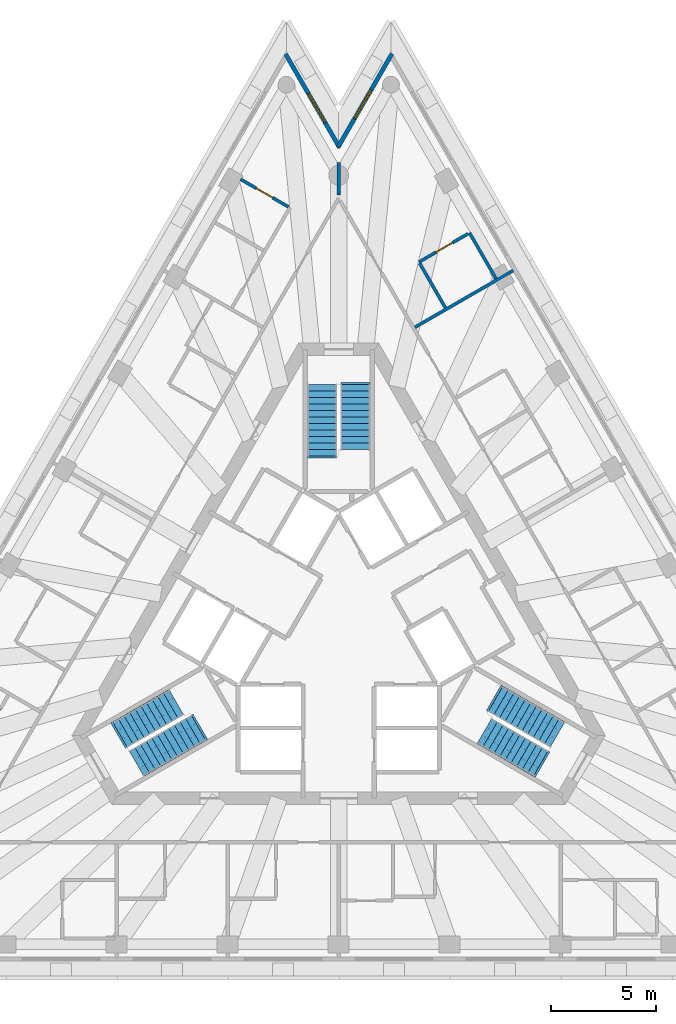
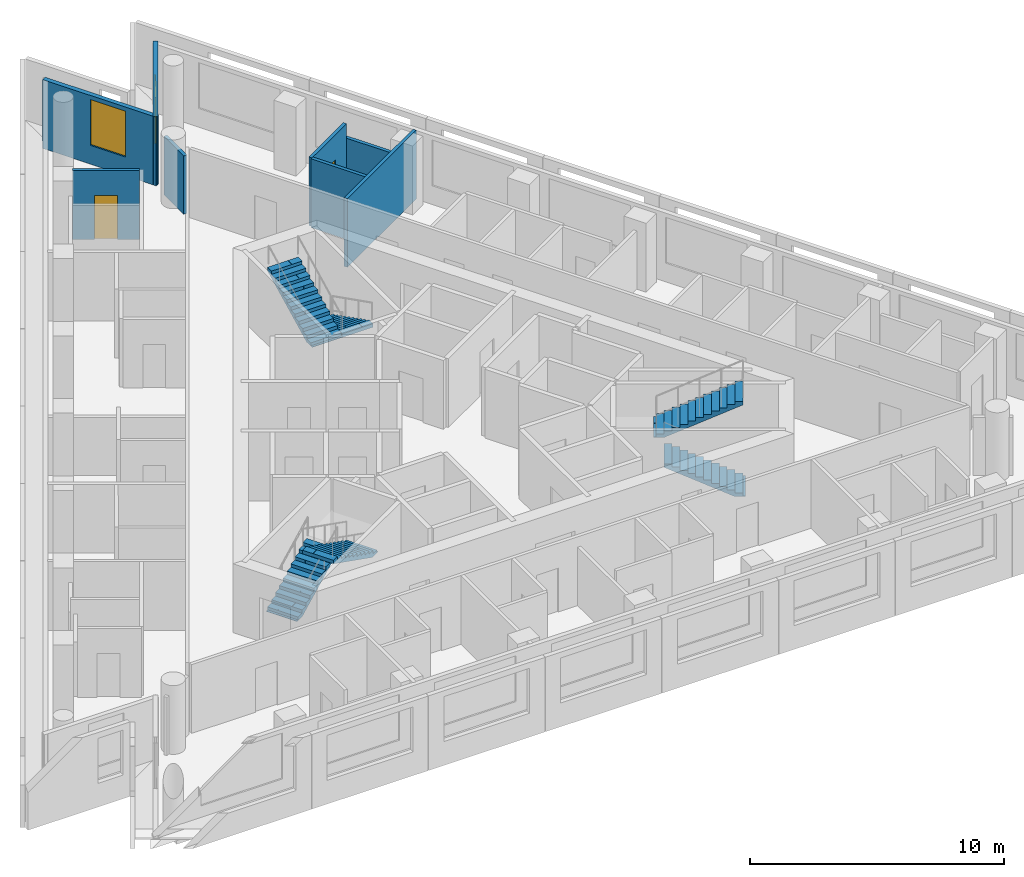
# One storey, part 8 of 11: 8 walls, 6 stair flights, 2 doors, 2 windows, 4 openings, 3 elements without a shape of their own.
"""IFC4 building model written with IfcOpenShell, lengths in metres."""

import ifcopenshell
import ifcopenshell.guid

model = None  # the IFC model being written
_history = None  # IfcOwnerHistory: only IFC2X3 demands one
_inside = {}  # id of a spatial element -> (the spatial element, [elements in it])
_under = {}  # id of a project, library or spatial element -> (it, [spatial elements below it])
_declared = {}  # id of a project -> (the project, [libraries it declares])
_typed = {}  # id of a type object -> (the type object, [elements of that type])
_made_of = {}  # id of a material, layer set ... -> (it, [elements and type objects made of it])


def new_model(schema):
    """Start an empty IFC model of exactly this schema.

    Asked for "IFC4X3", IfcOpenShell would pick the latest addendum, in which some entities
    have other attributes; the version numbers below select the first issue.
    IFC2X3 requires an IfcOwnerHistory on every rooted entity: one is made here for all.
    """
    global model, _history
    if schema == "IFC4X3":
        model = ifcopenshell.file(schema_version=(4, 3, 0, 0))
    else:
        model = ifcopenshell.file(schema=schema)
    _inside.clear()
    _under.clear()
    _declared.clear()
    _typed.clear()
    _made_of.clear()
    _history = None
    if model.schema == "IFC2X3":
        org = make("IfcOrganization", Name="unknown")
        user = make(
            "IfcPersonAndOrganization",
            ThePerson=make("IfcPerson", FamilyName="unknown"),
            TheOrganization=org,
        )
        app = make(
            "IfcApplication",
            ApplicationDeveloper=org,
            Version="unknown",
            ApplicationFullName="unknown",
            ApplicationIdentifier="unknown",
        )
        _history = make(
            "IfcOwnerHistory",
            OwningUser=user,
            OwningApplication=app,
            ChangeAction="ADDED",
            CreationDate=0,
        )
    return model


def make(cls, **values):
    """One entity of the class cls with the attributes given. An attribute that is None is left unset."""
    return model.create_entity(
        cls, **{name: value for name, value in values.items() if value is not None}
    )


def rooted(cls, **values):
    """An entity with a GlobalId (a new one), such as an element, a storey or a relation."""
    return make(cls, GlobalId=ifcopenshell.guid.new(), OwnerHistory=_history, **values)


def si_unit(unit_type, name, prefix=None):
    """IfcSIUnit, for example si_unit("LENGTHUNIT", "METRE", prefix="MILLI")."""
    return make("IfcSIUnit", UnitType=unit_type, Prefix=prefix, Name=name)


def assignment(units):
    """IfcUnitAssignment: the units of a project."""
    return None if units is None else make("IfcUnitAssignment", Units=units)


def point(xyz):
    """IfcCartesianPoint."""
    return None if xyz is None else make("IfcCartesianPoint", Coordinates=xyz)


def direction(xyz):
    """IfcDirection."""
    return None if xyz is None else make("IfcDirection", DirectionRatios=xyz)


def frame(location, z_axis=None, x_axis=None):
    """IfcAxis2Placement3D, a coordinate frame: its origin and axes. An axis left out is left unset."""
    return make(
        "IfcAxis2Placement3D",
        Location=point(location),
        Axis=direction(z_axis),
        RefDirection=direction(x_axis),
    )


def frame_2d(location, x_axis=None):
    """IfcAxis2Placement2D, a coordinate frame in the plane: its origin and x axis."""
    return make(
        "IfcAxis2Placement2D", Location=point(location), RefDirection=direction(x_axis)
    )


def origin():
    """The frame at (0, 0, 0) with its axes left unset."""
    return frame((0.0, 0.0, 0.0))


def place(relative_to, where):
    """IfcLocalPlacement: puts the frame where relative to a parent placement (None: the world)."""
    return make(
        "IfcLocalPlacement", PlacementRelTo=relative_to, RelativePlacement=where
    )


def context(
    kind, dimensions, precision=None, world=None, true_north=None, identifier=None
):
    """IfcGeometricRepresentationContext, for example the 3D "Model" context."""
    return make(
        "IfcGeometricRepresentationContext",
        ContextIdentifier=identifier,
        ContextType=kind,
        CoordinateSpaceDimension=dimensions,
        Precision=precision,
        WorldCoordinateSystem=world,
        TrueNorth=true_north,
    )


def subcontext(parent, identifier, kind, view, scale=None):
    """IfcGeometricRepresentationSubContext, for example "Body" below "Model"."""
    return make(
        "IfcGeometricRepresentationSubContext",
        ContextIdentifier=identifier,
        ContextType=kind,
        ParentContext=parent,
        TargetScale=scale,
        TargetView=view,
    )


def project(units=None, contexts=None):
    """IfcProject with its units and contexts."""
    return rooted(
        "IfcProject",
        Name="project",
        RepresentationContexts=contexts,
        UnitsInContext=assignment(units),
    )


def spatial(cls, under=None, at=None, **own):
    """A site, building, storey or space (cls), placed at a placement, below another one or the project."""
    s = rooted(cls, ObjectPlacement=at, **own)
    if under is not None:
        _under.setdefault(under.id(), (under, []))[1].append(s)
    return s


def polyline(points):
    """IfcPolyline through the points."""
    return make("IfcPolyline", Points=[point(p) for p in points])


def profile(cls, at=None, kind="AREA", **sizes):
    """A parametric profile (cls). Its sizes go by their IFC names, for example OverallWidth=200.0."""
    return make(cls, ProfileType=kind, Position=at, **sizes)


def rectangle(**sizes):
    """IfcRectangleProfileDef."""
    return profile("IfcRectangleProfileDef", **sizes)


def outline(outer, holes=None, kind="AREA"):
    """IfcArbitraryClosedProfileDef: a profile drawn as a closed curve; with holes, ...WithVoids."""
    if holes is None:
        return make("IfcArbitraryClosedProfileDef", ProfileType=kind, OuterCurve=outer)
    return make(
        "IfcArbitraryProfileDefWithVoids",
        ProfileType=kind,
        OuterCurve=outer,
        InnerCurves=holes,
    )


def extrude(swept, where, along, depth):
    """IfcExtrudedAreaSolid: the profile swept, set in the frame where, extruded along a direction by depth."""
    return make(
        "IfcExtrudedAreaSolid",
        SweptArea=swept,
        Position=where,
        ExtrudedDirection=direction(along),
        Depth=depth,
    )


def shape(context_of_items, identifier, shape_type, items):
    """IfcShapeRepresentation: the items that make up one representation, for example the "Body"."""
    return make(
        "IfcShapeRepresentation",
        ContextOfItems=context_of_items,
        RepresentationIdentifier=identifier,
        RepresentationType=shape_type,
        Items=items,
    )


def material(Name=None, Category=None):
    """IfcMaterial."""
    return make("IfcMaterial", Name=Name, Category=Category)


def layer(
    of_material, thickness, ventilated=None, Name=None, Category=None, Priority=None
):
    """IfcMaterialLayer: one layer of a wall or slab, of a material (None: an air gap)."""
    return make(
        "IfcMaterialLayer",
        Material=of_material,
        LayerThickness=thickness,
        IsVentilated=ventilated,
        Name=Name,
        Category=Category,
        Priority=Priority,
    )


def layer_set(layers, Name=None):
    """IfcMaterialLayerSet."""
    return make("IfcMaterialLayerSet", MaterialLayers=layers, LayerSetName=Name)


def layer_usage(for_layer_set, set_direction, sense, offset, extent=None):
    """IfcMaterialLayerSetUsage: how a layer set lies in its element."""
    return make(
        "IfcMaterialLayerSetUsage",
        ForLayerSet=for_layer_set,
        LayerSetDirection=set_direction,
        DirectionSense=sense,
        OffsetFromReferenceLine=offset,
        ReferenceExtent=extent,
    )


def made_of(thing, what):
    """Note that an element or type object is made of a material, layer set ...; save() writes the relation."""
    if what is not None:
        _made_of.setdefault(what.id(), (what, []))[1].append(thing)
    return thing


def type_object(cls, material=None, **own):
    """A type object (cls), such as IfcWallType, which elements share."""
    return made_of(rooted(cls, **own), material)


def element(
    cls,
    number,
    at=None,
    inside=None,
    cuts=None,
    type_object=None,
    material=None,
    context=None,
    identifier="Body",
    shape_type=None,
    held_by="IfcProductDefinitionShape",
    body=None,
    shapes=None,
    **own,
):
    """One element of the class cls, such as IfcWall. Its Tag is "e" and its number.

    at: its placement. inside: the storey or other place that contains it. cuts: it is an
    opening in that element (IfcRelVoidsElement). A single representation is given by context,
    identifier, shape_type and body (its items); several are given by shapes. held_by: the class
    of the entity that holds the representations. save() writes the other relations.
    """
    e = rooted(cls, Tag="e%d" % number, ObjectPlacement=at, **own)
    if body is not None:
        shapes = [shape(context, identifier, shape_type, body)]
    if shapes is not None:
        e.Representation = make(held_by, Representations=shapes)
    if inside is not None:
        _inside.setdefault(inside.id(), (inside, []))[1].append(e)
    if cuts is not None:
        rooted(
            "IfcRelVoidsElement", RelatingBuildingElement=cuts, RelatedOpeningElement=e
        )
    if type_object is not None:
        _typed.setdefault(type_object.id(), (type_object, []))[1].append(e)
    return made_of(e, material)


def fill(opening, filler):
    """IfcRelFillsElement: the door or window that sits in an opening."""
    return rooted(
        "IfcRelFillsElement",
        RelatingOpeningElement=opening,
        RelatedBuildingElement=filler,
    )


def aggregate(whole, parts):
    """IfcRelAggregates: a whole, such as a stair, and the parts it consists of."""
    return rooted("IfcRelAggregates", RelatingObject=whole, RelatedObjects=parts)


def save(model, path):
    """Write the relations noted so far, then the file.

    IfcRelAggregates (storeys below a building ...), IfcRelContainedInSpatialStructure (elements
    in a storey), IfcRelDefinesByType, IfcRelAssociatesMaterial and IfcRelDeclares: one each for
    every whole, place, type object, material and project.
    """
    for whole, parts in _under.values():
        aggregate(whole, parts)
    for where, things in _inside.values():
        rooted(
            "IfcRelContainedInSpatialStructure",
            RelatedElements=things,
            RelatingStructure=where,
        )
    for kind, things in _typed.values():
        rooted("IfcRelDefinesByType", RelatedObjects=things, RelatingType=kind)
    for what, things in _made_of.values():
        rooted("IfcRelAssociatesMaterial", RelatedObjects=things, RelatingMaterial=what)
    for by, libraries in _declared.values():
        rooted("IfcRelDeclares", RelatingContext=by, RelatedDefinitions=libraries)
    model.write(path)


model = new_model("IFC4")

# Units and contexts
model_context = context("Model", 3, precision=1e-05, world=origin(), true_north=direction((0.0, 1.0)))
body_context = subcontext(model_context, "Body", "Model", "MODEL_VIEW")
ifc_project = project(units=[si_unit("LENGTHUNIT", "METRE"), si_unit("AREAUNIT", "SQUARE_METRE"), si_unit("VOLUMEUNIT", "CUBIC_METRE"), si_unit("PLANEANGLEUNIT", "RADIAN"), si_unit("MASSUNIT", "GRAM", prefix="KILO")], contexts=[model_context])

# Site, building, storey
site_placement = place(None, origin())
site = spatial("IfcSite", under=ifc_project, at=site_placement, CompositionType="ELEMENT")
building_placement = place(site_placement, origin())
building = spatial("IfcBuilding", under=site, at=building_placement, Name="Triada Interchange Tower", CompositionType="ELEMENT")
storey_placement = place(building_placement, frame((0.0, 0.0, 304.300048828125)))
storey = spatial("IfcBuildingStorey", under=building, at=storey_placement, Name="L72", CompositionType="ELEMENT", Elevation=304.300048828125)

# Wall, opening, window
ifc_material_1 = material(Name="Cement board")
ifc_layer_1 = layer(ifc_material_1, 0.02001953125, Name="Cement board cladding")
ifc_material_2 = material(Name="Sheathing board")
ifc_layer_2 = layer(ifc_material_2, 0.014892578125, Name="Sheathing board")
ifc_material_3 = material(Name="Mineral wool")
ifc_layer_3 = layer(ifc_material_3, 0.14990234375, Name="Mineral wool between steel studs")
ifc_material_4 = material(Name="Gypsum board")
ifc_layer_4 = layer(ifc_material_4, 0.014892578125, Name="Plasterboard lining")
ifc_layer_set_1 = layer_set([ifc_layer_1, ifc_layer_2, ifc_layer_3, ifc_layer_4], Name="External wall 200")
ifc_layer_usage = layer_usage(ifc_layer_set_1, "AXIS2", "POSITIVE", -0.10009765625)
wall_type_1 = type_object("IfcWallType", Name="External wall 200", PredefinedType="ELEMENTEDWALL", material=ifc_layer_set_1)
wall_1_placement = place(storey_placement, frame((2.54296875, 27.405029296875, 0.0), z_axis=(0.0, 0.0, 1.0), x_axis=(-0.49983036304, -0.866123321579, 0.0)))
wall_1 = element("IfcWall", 1, at=wall_1_placement, inside=storey, type_object=wall_type_1, material=ifc_layer_usage, Name="External wall L72 N-1", PredefinedType="ELEMENTEDWALL", context=body_context, shape_type="SweptSolid", body=[
    extrude(rectangle(XDim=5.157470703125, YDim=0.199951171875, at=frame_2d((2.57861328125, 0.0))), origin(), (0.0, 0.0, 1.0), 3.300048828125),
])
opening_1_placement = place(wall_1_placement, frame((1.989990234375, 0.0, 0.89990234375)))
opening_1 = element("IfcOpeningElement", 2, at=opening_1_placement, cuts=wall_1, Name="Opening WD29", PredefinedType="OPENING", context=body_context, shape_type="SweptSolid", body=[
    extrude(rectangle(XDim=1.60009765625, YDim=2.199951171875, at=frame_2d((0.800048828125, 1.10009765625))), frame((0.0, 0.10986328125, 0.0), z_axis=(0.0, -1.0, 0.0), x_axis=(1.0, 0.0, 0.0)), (0.0, 0.0, 1.0), 0.219970703125),
])
ifc_material_5 = material(Name="Double glazed aluminium window", Category="aluminium")
window_type = type_object("IfcWindowType", Name="Ribbon window D pocket", PartitioningType="SINGLE_PANEL", PredefinedType="WINDOW", material=ifc_material_5)
window_1_placement = place(opening_1_placement, origin())
window_1 = element("IfcWindow", 3, at=window_1_placement, inside=storey, type_object=window_type, Name="Window L72 N-1 1", OverallHeight=2.199951171875, OverallWidth=1.60009765625, PartitioningType="SINGLE_PANEL", PredefinedType="WINDOW", context=body_context, shape_type="SweptSolid", body=[
    extrude(rectangle(XDim=1.60009765625, YDim=2.199951171875, at=frame_2d((0.800048828125, 1.10009765625))), frame((0.0, 0.030029296875, 0.0), z_axis=(0.0, -1.0, 0.0), x_axis=(1.0, 0.0, 0.0)), (0.0, 0.0, 1.0), 0.06005859375),
])
fill(opening_1, window_1)

wall_2_placement = place(storey_placement, frame((0.044921875, 22.9208984375, 0.0), z_axis=(0.0, 0.0, 1.0), x_axis=(-0.49983036304, 0.866123321579, 0.0)))
wall_2 = element("IfcWall", 4, at=wall_2_placement, inside=storey, type_object=wall_type_1, material=ifc_layer_usage, Name="External wall L72 N-2", PredefinedType="ELEMENTEDWALL", context=body_context, shape_type="SweptSolid", body=[
    extrude(rectangle(XDim=5.157470703125, YDim=0.199951171875, at=frame_2d((2.57861328125, 0.0))), origin(), (0.0, 0.0, 1.0), 3.300048828125),
])
opening_2_placement = place(wall_2_placement, frame((1.389892578125, 0.0, 0.89990234375)))
opening_2 = element("IfcOpeningElement", 5, at=opening_2_placement, cuts=wall_2, Name="Opening WD30", PredefinedType="OPENING", context=body_context, shape_type="SweptSolid", body=[
    extrude(rectangle(XDim=1.60009765625, YDim=2.199951171875, at=frame_2d((0.800048828125, 1.10009765625))), frame((0.0, 0.10986328125, 0.0), z_axis=(0.0, -1.0, 0.0), x_axis=(1.0, 0.0, 0.0)), (0.0, 0.0, 1.0), 0.219970703125),
])
window_2_placement = place(opening_2_placement, origin())
window_2 = element("IfcWindow", 6, at=window_2_placement, inside=storey, type_object=window_type, Name="Window L72 N-2 1", OverallHeight=2.199951171875, OverallWidth=1.60009765625, PartitioningType="SINGLE_PANEL", PredefinedType="WINDOW", context=body_context, shape_type="SweptSolid", body=[
    extrude(rectangle(XDim=1.60009765625, YDim=2.199951171875, at=frame_2d((0.800048828125, 1.10009765625))), frame((0.0, 0.030029296875, 0.0), z_axis=(0.0, -1.0, 0.0), x_axis=(1.0, 0.0, 0.0)), (0.0, 0.0, 1.0), 0.06005859375),
])
fill(opening_2, window_2)

# Walls
ifc_material_6 = material(Name="Gypsum board partition")
ifc_layer_5 = layer(ifc_material_6, 0.14990234375)
ifc_layer_set_2 = layer_set([ifc_layer_5], Name="PARTITION 150 EI 180")
wall_type_2 = type_object("IfcWallType", Name="PARTITION 150 EI 180", PredefinedType="PARTITIONING", material=ifc_layer_set_2)
wall_3_placement = place(storey_placement, frame((0.0, 20.64990234375, 0.0), z_axis=(0.0, 0.0, 1.0), x_axis=(0.0, 1.0, 0.0)))
element("IfcWall", 7, at=wall_3_placement, inside=storey, type_object=wall_type_2, Name="Wall L71 13", PredefinedType="PARTITIONING", context=body_context, shape_type="SweptSolid", body=[
    extrude(rectangle(XDim=1.569091796875, YDim=0.14990234375, at=frame_2d((0.78466796875, 0.0))), origin(), (0.0, 0.0, 1.0), 2.800048828125),
])
wall_4_placement = place(storey_placement, frame((3.64111328125, 14.343994140625, 0.0), z_axis=(0.0, 0.0, 1.0), x_axis=(0.865995092734, 0.500052496605, 0.0)))
element("IfcWall", 8, at=wall_4_placement, inside=storey, type_object=wall_type_2, Name="Wall L71 15", PredefinedType="PARTITIONING", context=body_context, shape_type="SweptSolid", body=[
    extrude(rectangle(XDim=5.42138671875, YDim=0.14990234375, at=frame_2d((2.710693359375, 0.0))), origin(), (0.0, 0.0, 1.0), 3.300048828125),
])

# Wall, opening, door
ifc_layer_6 = layer(ifc_material_6, 0.14990234375)
ifc_layer_set_3 = layer_set([ifc_layer_6], Name="PARTITION 150 EI 90")
wall_type_3 = type_object("IfcWallType", Name="PARTITION 150 EI 90", PredefinedType="PARTITIONING", material=ifc_layer_set_3)
wall_5_placement = place(storey_placement, frame((-4.68505859375, 21.4130859375, 0.0), z_axis=(0.0, 0.0, 1.0), x_axis=(0.866065407652, -0.499930704866, 0.0)))
wall_5 = element("IfcWall", 9, at=wall_5_placement, inside=storey, type_object=wall_type_3, Name="Wall L71 50", PredefinedType="PARTITIONING", context=body_context, shape_type="SweptSolid", body=[
    extrude(rectangle(XDim=2.638427734375, YDim=0.14990234375, at=frame_2d((1.3193359375, 0.0))), origin(), (0.0, 0.0, 1.0), 3.300048828125),
])
opening_3_placement = place(wall_5_placement, frame((0.875, 0.0, 0.0)))
opening_3 = element("IfcOpeningElement", 10, at=opening_3_placement, cuts=wall_5, Name="Opening D71-38", PredefinedType="OPENING", context=body_context, shape_type="SweptSolid", body=[
    extrude(rectangle(XDim=0.89990234375, YDim=2.10009765625, at=frame_2d((0.449951171875, 1.050048828125))), frame((0.0, 0.0849609375, 0.0), z_axis=(0.0, -1.0, 0.0), x_axis=(1.0, 0.0, 0.0)), (0.0, 0.0, 1.0), 0.169921875),
])
ifc_material_7 = material(Name="Steel S235 door leaf", Category="steel")
door_type_1 = type_object("IfcDoorType", Name="SERVICE DOOR 900 EI2 45-C5S200", OperationType="NOTDEFINED", PredefinedType="DOOR", material=ifc_material_7)
door_1_placement = place(opening_3_placement, origin())
door_1 = element("IfcDoor", 11, at=door_1_placement, inside=storey, type_object=door_type_1, Name="Door D71-38 L72", OperationType="SINGLE_SWING_RIGHT", OverallHeight=2.10009765625, OverallWidth=0.89990234375, PredefinedType="DOOR", context=body_context, shape_type="SweptSolid", body=[
    extrude(rectangle(XDim=0.89990234375, YDim=2.10009765625, at=frame_2d((0.449951171875, 1.050048828125))), frame((0.0, 0.02490234375, 0.0), z_axis=(0.0, -1.0, 0.0), x_axis=(1.0, 0.0, 0.0)), (0.0, 0.0, 1.0), 0.050048828125),
])
fill(opening_3, door_1)

# Wall
wall_6_placement = place(storey_placement, frame((6.2490234375, 18.85302734375, 0.0), z_axis=(0.0, 0.0, 1.0), x_axis=(0.500079482444, -0.865979509711, 0.0)))
element("IfcWall", 12, at=wall_6_placement, inside=storey, type_object=wall_type_3, Name="Wall L71 57", PredefinedType="PARTITIONING", context=body_context, shape_type="SweptSolid", body=[
    extrude(rectangle(XDim=2.525390625, YDim=0.14990234375, at=frame_2d((1.2626953125, 0.0))), origin(), (0.0, 0.0, 1.0), 2.599853515625),
])

# Wall, opening, door
wall_7_placement = place(storey_placement, frame((3.8349609375, 17.4580078125, 0.0), z_axis=(0.0, 0.0, 1.0), x_axis=(0.866008795918, 0.500028764566, 0.0)))
wall_7 = element("IfcWall", 13, at=wall_7_placement, inside=storey, type_object=wall_type_3, Name="Wall L71 59", PredefinedType="PARTITIONING", context=body_context, shape_type="SweptSolid", body=[
    extrude(rectangle(XDim=2.713623046875, YDim=0.14990234375, at=frame_2d((1.35693359375, 0.0))), origin(), (0.0, 0.0, 1.0), 3.300048828125),
])
opening_4_placement = place(wall_7_placement, frame((0.949951171875, 0.0, 0.0)))
opening_4 = element("IfcOpeningElement", 14, at=opening_4_placement, cuts=wall_7, Name="Opening D71-35", PredefinedType="OPENING", context=body_context, shape_type="SweptSolid", body=[
    extrude(rectangle(XDim=0.89990234375, YDim=2.10009765625, at=frame_2d((0.449951171875, 1.050048828125))), frame((0.0, 0.0849609375, 0.0), z_axis=(0.0, -1.0, 0.0), x_axis=(1.0, 0.0, 0.0)), (0.0, 0.0, 1.0), 0.169921875),
])
door_type_2 = type_object("IfcDoorType", Name="ROOM DOOR 900 EI2 45-C5S200", OperationType="NOTDEFINED", PredefinedType="DOOR", material=ifc_material_7)
door_2_placement = place(opening_4_placement, origin())
door_2 = element("IfcDoor", 15, at=door_2_placement, inside=storey, type_object=door_type_2, Name="Door D71-35 L72", OperationType="SINGLE_SWING_LEFT", OverallHeight=2.10009765625, OverallWidth=0.89990234375, PredefinedType="DOOR", context=body_context, shape_type="SweptSolid", body=[
    extrude(rectangle(XDim=0.89990234375, YDim=2.10009765625, at=frame_2d((0.449951171875, 1.050048828125))), frame((0.0, 0.02490234375, 0.0), z_axis=(0.0, -1.0, 0.0), x_axis=(1.0, 0.0, 0.0)), (0.0, 0.0, 1.0), 0.050048828125),
])
fill(opening_4, door_2)

# Wall
wall_8_placement = place(storey_placement, frame((3.8720703125, 17.39306640625, 0.0), z_axis=(0.0, 0.0, 1.0), x_axis=(0.500073324283, -0.865983065851, 0.0)))
element("IfcWall", 16, at=wall_8_placement, inside=storey, type_object=wall_type_3, Name="Wall L71 60", PredefinedType="PARTITIONING", context=body_context, shape_type="SweptSolid", body=[
    extrude(rectangle(XDim=2.449462890625, YDim=0.14990234375, at=frame_2d((1.224609375, 0.0))), origin(), (0.0, 0.0, 1.0), 3.300048828125),
])

# Stair, stair flights
ifc_material_8 = material(Name="Concrete C35/45", Category="concrete")
stair_type = type_object("IfcStairType", Name="HALF TURN STAIR 1400", PredefinedType="HALF_TURN_STAIR", material=ifc_material_8)
stair_1_placement = place(storey_placement, origin())
stair_1 = element("IfcStair", 17, at=stair_1_placement, inside=storey, type_object=stair_type, Name="Exit stair S71-1", PredefinedType="HALF_TURN_STAIR")
stair_flight_type = type_object("IfcStairFlightType", Name="STRAIGHT STAIR FLIGHT 1400", PredefinedType="STRAIGHT", material=ifc_material_8)
stair_flight_1_placement = place(storey_placement, frame((0.800048828125, 11.60009765625, 0.0), z_axis=(0.0, 0.0, 1.0), x_axis=(0.0, -1.0, 0.0)))
stair_flight_1 = element("IfcStairFlight", 18, at=stair_flight_1_placement, type_object=stair_flight_type, Name="S71-1 flight 1", NumberOfRisers=11, NumberOfTreads=10, PredefinedType="STRAIGHT", RiserHeight=0.15652, TreadLength=0.31, context=body_context, shape_type="SweptSolid", body=[
    extrude(outline(polyline([(-0.10009765625, 0.0), (-0.10009765625, 0.02001953125), (0.0, 0.02001953125), (0.0, 0.156494140625), (0.31005859375, 0.156494140625), (0.31005859375, 0.31298828125), (0.6201171875, 0.31298828125), (0.6201171875, 0.469482421875), (0.929931640625, 0.469482421875), (0.929931640625, 0.6259765625), (1.239990234375, 0.6259765625), (1.239990234375, 0.78271484375), (1.550048828125, 0.78271484375), (1.550048828125, 0.939208984375), (1.860107421875, 0.939208984375), (1.860107421875, 1.095703125), (2.169921875, 1.095703125), (2.169921875, 1.252197265625), (2.47998046875, 1.252197265625), (2.47998046875, 1.40869140625), (2.7900390625, 1.40869140625), (2.7900390625, 1.565185546875), (3.10009765625, 1.565185546875), (3.10400390625, 1.565185546875), (3.10400390625, 1.7216796875), (3.10400390625, 1.397216796875), (0.33251953125, 0.0), (-0.10009765625, 0.0)])), frame((0.0, 0.699951171875, 0.0), z_axis=(0.0, -1.0, 0.0), x_axis=(1.0, 0.0, 0.0)), (0.0, 0.0, 1.0), 0.46533203125),
    extrude(outline(polyline([(-0.10009765625, 0.0), (-0.10009765625, 0.02001953125), (0.0, 0.02001953125), (0.0, 0.156494140625), (0.31005859375, 0.156494140625), (0.31005859375, 0.31298828125), (0.6201171875, 0.31298828125), (0.6201171875, 0.469482421875), (0.929931640625, 0.469482421875), (0.929931640625, 0.6259765625), (1.239990234375, 0.6259765625), (1.239990234375, 0.78271484375), (1.550048828125, 0.78271484375), (1.550048828125, 0.939208984375), (1.860107421875, 0.939208984375), (1.860107421875, 1.095703125), (2.169921875, 1.095703125), (2.169921875, 1.252197265625), (2.47998046875, 1.252197265625), (2.47998046875, 1.40869140625), (2.7900390625, 1.40869140625), (2.7900390625, 1.565185546875), (3.10009765625, 1.565185546875), (3.10400390625, 1.565185546875), (3.10400390625, 1.7216796875), (3.10400390625, 1.397216796875), (0.33251953125, 0.0), (-0.10009765625, 0.0)])), frame((0.0, 0.232666015625, 0.0), z_axis=(0.0, -1.0, 0.0), x_axis=(1.0, 0.0, 0.0)), (0.0, 0.0, 1.0), 0.46533203125),
    extrude(outline(polyline([(-0.10009765625, 0.0), (-0.10009765625, 0.02001953125), (0.0, 0.02001953125), (0.0, 0.156494140625), (0.31005859375, 0.156494140625), (0.31005859375, 0.31298828125), (0.6201171875, 0.31298828125), (0.6201171875, 0.469482421875), (0.929931640625, 0.469482421875), (0.929931640625, 0.6259765625), (1.239990234375, 0.6259765625), (1.239990234375, 0.78271484375), (1.550048828125, 0.78271484375), (1.550048828125, 0.939208984375), (1.860107421875, 0.939208984375), (1.860107421875, 1.095703125), (2.169921875, 1.095703125), (2.169921875, 1.252197265625), (2.47998046875, 1.252197265625), (2.47998046875, 1.40869140625), (2.7900390625, 1.40869140625), (2.7900390625, 1.565185546875), (3.10009765625, 1.565185546875), (3.10400390625, 1.565185546875), (3.10400390625, 1.7216796875), (3.10400390625, 1.397216796875), (0.33251953125, 0.0), (-0.10009765625, 0.0)])), frame((0.0, -0.234619140625, 0.0), z_axis=(0.0, -1.0, 0.0), x_axis=(1.0, 0.0, 0.0)), (0.0, 0.0, 1.0), 0.46533203125),
])
stair_flight_2_placement = place(storey_placement, frame((-0.800048828125, 8.18994140625, 1.7216796875), z_axis=(0.0, 0.0, 1.0), x_axis=(0.0, 1.0, 0.0)))
stair_flight_2 = element("IfcStairFlight", 19, at=stair_flight_2_placement, type_object=stair_flight_type, Name="S71-1 flight 2", NumberOfRisers=12, NumberOfTreads=11, PredefinedType="STRAIGHT", RiserHeight=0.15652, TreadLength=0.31, context=body_context, shape_type="SweptSolid", body=[
    extrude(outline(polyline([(-0.10009765625, 0.0), (-0.10009765625, 0.02001953125), (0.0, 0.02001953125), (0.0, 0.156494140625), (0.31005859375, 0.156494140625), (0.31005859375, 0.31298828125), (0.6201171875, 0.31298828125), (0.6201171875, 0.469482421875), (0.929931640625, 0.469482421875), (0.929931640625, 0.6259765625), (1.239990234375, 0.6259765625), (1.239990234375, 0.78271484375), (1.550048828125, 0.78271484375), (1.550048828125, 0.939208984375), (1.860107421875, 0.939208984375), (1.860107421875, 1.095703125), (2.169921875, 1.095703125), (2.169921875, 1.252197265625), (2.47998046875, 1.252197265625), (2.47998046875, 1.40869140625), (2.7900390625, 1.40869140625), (2.7900390625, 1.565185546875), (3.10009765625, 1.565185546875), (3.10009765625, 1.7216796875), (3.409912109375, 1.7216796875), (3.4140625, 1.7216796875), (3.4140625, 1.878173828125), (3.4140625, 1.5537109375), (0.33251953125, 0.0), (-0.10009765625, 0.0)])), frame((0.0, 0.699951171875, 0.0), z_axis=(0.0, -1.0, 0.0), x_axis=(1.0, 0.0, 0.0)), (0.0, 0.0, 1.0), 0.46533203125),
    extrude(outline(polyline([(-0.10009765625, 0.0), (-0.10009765625, 0.02001953125), (0.0, 0.02001953125), (0.0, 0.156494140625), (0.31005859375, 0.156494140625), (0.31005859375, 0.31298828125), (0.6201171875, 0.31298828125), (0.6201171875, 0.469482421875), (0.929931640625, 0.469482421875), (0.929931640625, 0.6259765625), (1.239990234375, 0.6259765625), (1.239990234375, 0.78271484375), (1.550048828125, 0.78271484375), (1.550048828125, 0.939208984375), (1.860107421875, 0.939208984375), (1.860107421875, 1.095703125), (2.169921875, 1.095703125), (2.169921875, 1.252197265625), (2.47998046875, 1.252197265625), (2.47998046875, 1.40869140625), (2.7900390625, 1.40869140625), (2.7900390625, 1.565185546875), (3.10009765625, 1.565185546875), (3.10009765625, 1.7216796875), (3.409912109375, 1.7216796875), (3.4140625, 1.7216796875), (3.4140625, 1.878173828125), (3.4140625, 1.5537109375), (0.33251953125, 0.0), (-0.10009765625, 0.0)])), frame((0.0, 0.232666015625, 0.0), z_axis=(0.0, -1.0, 0.0), x_axis=(1.0, 0.0, 0.0)), (0.0, 0.0, 1.0), 0.46533203125),
    extrude(outline(polyline([(-0.10009765625, 0.0), (-0.10009765625, 0.02001953125), (0.0, 0.02001953125), (0.0, 0.156494140625), (0.31005859375, 0.156494140625), (0.31005859375, 0.31298828125), (0.6201171875, 0.31298828125), (0.6201171875, 0.469482421875), (0.929931640625, 0.469482421875), (0.929931640625, 0.6259765625), (1.239990234375, 0.6259765625), (1.239990234375, 0.78271484375), (1.550048828125, 0.78271484375), (1.550048828125, 0.939208984375), (1.860107421875, 0.939208984375), (1.860107421875, 1.095703125), (2.169921875, 1.095703125), (2.169921875, 1.252197265625), (2.47998046875, 1.252197265625), (2.47998046875, 1.40869140625), (2.7900390625, 1.40869140625), (2.7900390625, 1.565185546875), (3.10009765625, 1.565185546875), (3.10009765625, 1.7216796875), (3.409912109375, 1.7216796875), (3.4140625, 1.7216796875), (3.4140625, 1.878173828125), (3.4140625, 1.5537109375), (0.33251953125, 0.0), (-0.10009765625, 0.0)])), frame((0.0, -0.234619140625, 0.0), z_axis=(0.0, -1.0, 0.0), x_axis=(1.0, 0.0, 0.0)), (0.0, 0.0, 1.0), 0.46533203125),
])
aggregate(stair_1, [stair_flight_1, stair_flight_2])

stair_2_placement = place(storey_placement, origin())
stair_2 = element("IfcStair", 20, at=stair_2_placement, inside=storey, type_object=stair_type, Name="Exit stair S71-2", PredefinedType="HALF_TURN_STAIR")
stair_flight_3_placement = place(storey_placement, frame((-10.446044921875, -5.10693359375, 0.0), z_axis=(0.0, 0.0, 1.0), x_axis=(0.866025403784, 0.5, 0.0)))
stair_flight_3 = element("IfcStairFlight", 21, at=stair_flight_3_placement, type_object=stair_flight_type, Name="S71-2 flight 1", NumberOfRisers=11, NumberOfTreads=10, PredefinedType="STRAIGHT", RiserHeight=0.15652, TreadLength=0.31, context=body_context, shape_type="SweptSolid", body=[
    extrude(outline(polyline([(-0.10009765625, 0.0), (-0.10009765625, 0.02001953125), (0.0, 0.02001953125), (0.0, 0.156494140625), (0.31005859375, 0.156494140625), (0.31005859375, 0.31298828125), (0.6201171875, 0.31298828125), (0.6201171875, 0.469482421875), (0.929931640625, 0.469482421875), (0.929931640625, 0.6259765625), (1.239990234375, 0.6259765625), (1.239990234375, 0.78271484375), (1.550048828125, 0.78271484375), (1.550048828125, 0.939208984375), (1.860107421875, 0.939208984375), (1.860107421875, 1.095703125), (2.169921875, 1.095703125), (2.169921875, 1.252197265625), (2.47998046875, 1.252197265625), (2.47998046875, 1.40869140625), (2.7900390625, 1.40869140625), (2.7900390625, 1.565185546875), (3.10009765625, 1.565185546875), (3.10400390625, 1.565185546875), (3.10400390625, 1.7216796875), (3.10400390625, 1.397216796875), (0.33251953125, 0.0), (-0.10009765625, 0.0)])), frame((0.0, 0.699951171875, 0.0), z_axis=(0.0, -1.0, 0.0), x_axis=(1.0, 0.0, 0.0)), (0.0, 0.0, 1.0), 0.46533203125),
    extrude(outline(polyline([(-0.10009765625, 0.0), (-0.10009765625, 0.02001953125), (0.0, 0.02001953125), (0.0, 0.156494140625), (0.31005859375, 0.156494140625), (0.31005859375, 0.31298828125), (0.6201171875, 0.31298828125), (0.6201171875, 0.469482421875), (0.929931640625, 0.469482421875), (0.929931640625, 0.6259765625), (1.239990234375, 0.6259765625), (1.239990234375, 0.78271484375), (1.550048828125, 0.78271484375), (1.550048828125, 0.939208984375), (1.860107421875, 0.939208984375), (1.860107421875, 1.095703125), (2.169921875, 1.095703125), (2.169921875, 1.252197265625), (2.47998046875, 1.252197265625), (2.47998046875, 1.40869140625), (2.7900390625, 1.40869140625), (2.7900390625, 1.565185546875), (3.10009765625, 1.565185546875), (3.10400390625, 1.565185546875), (3.10400390625, 1.7216796875), (3.10400390625, 1.397216796875), (0.33251953125, 0.0), (-0.10009765625, 0.0)])), frame((0.0, 0.232666015625, 0.0), z_axis=(0.0, -1.0, 0.0), x_axis=(1.0, 0.0, 0.0)), (0.0, 0.0, 1.0), 0.46533203125),
    extrude(outline(polyline([(-0.10009765625, 0.0), (-0.10009765625, 0.02001953125), (0.0, 0.02001953125), (0.0, 0.156494140625), (0.31005859375, 0.156494140625), (0.31005859375, 0.31298828125), (0.6201171875, 0.31298828125), (0.6201171875, 0.469482421875), (0.929931640625, 0.469482421875), (0.929931640625, 0.6259765625), (1.239990234375, 0.6259765625), (1.239990234375, 0.78271484375), (1.550048828125, 0.78271484375), (1.550048828125, 0.939208984375), (1.860107421875, 0.939208984375), (1.860107421875, 1.095703125), (2.169921875, 1.095703125), (2.169921875, 1.252197265625), (2.47998046875, 1.252197265625), (2.47998046875, 1.40869140625), (2.7900390625, 1.40869140625), (2.7900390625, 1.565185546875), (3.10009765625, 1.565185546875), (3.10400390625, 1.565185546875), (3.10400390625, 1.7216796875), (3.10400390625, 1.397216796875), (0.33251953125, 0.0), (-0.10009765625, 0.0)])), frame((0.0, -0.234619140625, 0.0), z_axis=(0.0, -1.0, 0.0), x_axis=(1.0, 0.0, 0.0)), (0.0, 0.0, 1.0), 0.46533203125),
])
stair_flight_4_placement = place(storey_placement, frame((-6.693115234375, -4.7880859375, 1.7216796875), z_axis=(0.0, 0.0, 1.0), x_axis=(-0.866025403784, -0.5, 0.0)))
stair_flight_4 = element("IfcStairFlight", 22, at=stair_flight_4_placement, type_object=stair_flight_type, Name="S71-2 flight 2", NumberOfRisers=12, NumberOfTreads=11, PredefinedType="STRAIGHT", RiserHeight=0.15652, TreadLength=0.31, context=body_context, shape_type="SweptSolid", body=[
    extrude(outline(polyline([(-0.10009765625, 0.0), (-0.10009765625, 0.02001953125), (0.0, 0.02001953125), (0.0, 0.156494140625), (0.31005859375, 0.156494140625), (0.31005859375, 0.31298828125), (0.6201171875, 0.31298828125), (0.6201171875, 0.469482421875), (0.929931640625, 0.469482421875), (0.929931640625, 0.6259765625), (1.239990234375, 0.6259765625), (1.239990234375, 0.78271484375), (1.550048828125, 0.78271484375), (1.550048828125, 0.939208984375), (1.860107421875, 0.939208984375), (1.860107421875, 1.095703125), (2.169921875, 1.095703125), (2.169921875, 1.252197265625), (2.47998046875, 1.252197265625), (2.47998046875, 1.40869140625), (2.7900390625, 1.40869140625), (2.7900390625, 1.565185546875), (3.10009765625, 1.565185546875), (3.10009765625, 1.7216796875), (3.409912109375, 1.7216796875), (3.4140625, 1.7216796875), (3.4140625, 1.878173828125), (3.4140625, 1.5537109375), (0.33251953125, 0.0), (-0.10009765625, 0.0)])), frame((0.0, 0.699951171875, 0.0), z_axis=(0.0, -1.0, 0.0), x_axis=(1.0, 0.0, 0.0)), (0.0, 0.0, 1.0), 0.46533203125),
    extrude(outline(polyline([(-0.10009765625, 0.0), (-0.10009765625, 0.02001953125), (0.0, 0.02001953125), (0.0, 0.156494140625), (0.31005859375, 0.156494140625), (0.31005859375, 0.31298828125), (0.6201171875, 0.31298828125), (0.6201171875, 0.469482421875), (0.929931640625, 0.469482421875), (0.929931640625, 0.6259765625), (1.239990234375, 0.6259765625), (1.239990234375, 0.78271484375), (1.550048828125, 0.78271484375), (1.550048828125, 0.939208984375), (1.860107421875, 0.939208984375), (1.860107421875, 1.095703125), (2.169921875, 1.095703125), (2.169921875, 1.252197265625), (2.47998046875, 1.252197265625), (2.47998046875, 1.40869140625), (2.7900390625, 1.40869140625), (2.7900390625, 1.565185546875), (3.10009765625, 1.565185546875), (3.10009765625, 1.7216796875), (3.409912109375, 1.7216796875), (3.4140625, 1.7216796875), (3.4140625, 1.878173828125), (3.4140625, 1.5537109375), (0.33251953125, 0.0), (-0.10009765625, 0.0)])), frame((0.0, 0.232666015625, 0.0), z_axis=(0.0, -1.0, 0.0), x_axis=(1.0, 0.0, 0.0)), (0.0, 0.0, 1.0), 0.46533203125),
    extrude(outline(polyline([(-0.10009765625, 0.0), (-0.10009765625, 0.02001953125), (0.0, 0.02001953125), (0.0, 0.156494140625), (0.31005859375, 0.156494140625), (0.31005859375, 0.31298828125), (0.6201171875, 0.31298828125), (0.6201171875, 0.469482421875), (0.929931640625, 0.469482421875), (0.929931640625, 0.6259765625), (1.239990234375, 0.6259765625), (1.239990234375, 0.78271484375), (1.550048828125, 0.78271484375), (1.550048828125, 0.939208984375), (1.860107421875, 0.939208984375), (1.860107421875, 1.095703125), (2.169921875, 1.095703125), (2.169921875, 1.252197265625), (2.47998046875, 1.252197265625), (2.47998046875, 1.40869140625), (2.7900390625, 1.40869140625), (2.7900390625, 1.565185546875), (3.10009765625, 1.565185546875), (3.10009765625, 1.7216796875), (3.409912109375, 1.7216796875), (3.4140625, 1.7216796875), (3.4140625, 1.878173828125), (3.4140625, 1.5537109375), (0.33251953125, 0.0), (-0.10009765625, 0.0)])), frame((0.0, -0.234619140625, 0.0), z_axis=(0.0, -1.0, 0.0), x_axis=(1.0, 0.0, 0.0)), (0.0, 0.0, 1.0), 0.46533203125),
])
aggregate(stair_2, [stair_flight_3, stair_flight_4])

stair_3_placement = place(storey_placement, origin())
stair_3 = element("IfcStair", 23, at=stair_3_placement, inside=storey, type_object=stair_type, Name="Exit stair S71-3", PredefinedType="HALF_TURN_STAIR")
stair_flight_5_placement = place(storey_placement, frame((9.64599609375, -6.492919921875, 0.0), z_axis=(0.0, 0.0, 1.0), x_axis=(-0.866025403784, 0.5, 0.0)))
stair_flight_5 = element("IfcStairFlight", 24, at=stair_flight_5_placement, type_object=stair_flight_type, Name="S71-3 flight 1", NumberOfRisers=11, NumberOfTreads=10, PredefinedType="STRAIGHT", RiserHeight=0.15652, TreadLength=0.31, context=body_context, shape_type="SweptSolid", body=[
    extrude(outline(polyline([(-0.10009765625, 0.0), (-0.10009765625, 0.02001953125), (0.0, 0.02001953125), (0.0, 0.156494140625), (0.31005859375, 0.156494140625), (0.31005859375, 0.31298828125), (0.6201171875, 0.31298828125), (0.6201171875, 0.469482421875), (0.929931640625, 0.469482421875), (0.929931640625, 0.6259765625), (1.239990234375, 0.6259765625), (1.239990234375, 0.78271484375), (1.550048828125, 0.78271484375), (1.550048828125, 0.939208984375), (1.860107421875, 0.939208984375), (1.860107421875, 1.095703125), (2.169921875, 1.095703125), (2.169921875, 1.252197265625), (2.47998046875, 1.252197265625), (2.47998046875, 1.40869140625), (2.7900390625, 1.40869140625), (2.7900390625, 1.565185546875), (3.10009765625, 1.565185546875), (3.10400390625, 1.565185546875), (3.10400390625, 1.7216796875), (3.10400390625, 1.397216796875), (0.33251953125, 0.0), (-0.10009765625, 0.0)])), frame((0.0, 0.699951171875, 0.0), z_axis=(0.0, -1.0, 0.0), x_axis=(1.0, 0.0, 0.0)), (0.0, 0.0, 1.0), 0.46533203125),
    extrude(outline(polyline([(-0.10009765625, 0.0), (-0.10009765625, 0.02001953125), (0.0, 0.02001953125), (0.0, 0.156494140625), (0.31005859375, 0.156494140625), (0.31005859375, 0.31298828125), (0.6201171875, 0.31298828125), (0.6201171875, 0.469482421875), (0.929931640625, 0.469482421875), (0.929931640625, 0.6259765625), (1.239990234375, 0.6259765625), (1.239990234375, 0.78271484375), (1.550048828125, 0.78271484375), (1.550048828125, 0.939208984375), (1.860107421875, 0.939208984375), (1.860107421875, 1.095703125), (2.169921875, 1.095703125), (2.169921875, 1.252197265625), (2.47998046875, 1.252197265625), (2.47998046875, 1.40869140625), (2.7900390625, 1.40869140625), (2.7900390625, 1.565185546875), (3.10009765625, 1.565185546875), (3.10400390625, 1.565185546875), (3.10400390625, 1.7216796875), (3.10400390625, 1.397216796875), (0.33251953125, 0.0), (-0.10009765625, 0.0)])), frame((0.0, 0.232666015625, 0.0), z_axis=(0.0, -1.0, 0.0), x_axis=(1.0, 0.0, 0.0)), (0.0, 0.0, 1.0), 0.46533203125),
    extrude(outline(polyline([(-0.10009765625, 0.0), (-0.10009765625, 0.02001953125), (0.0, 0.02001953125), (0.0, 0.156494140625), (0.31005859375, 0.156494140625), (0.31005859375, 0.31298828125), (0.6201171875, 0.31298828125), (0.6201171875, 0.469482421875), (0.929931640625, 0.469482421875), (0.929931640625, 0.6259765625), (1.239990234375, 0.6259765625), (1.239990234375, 0.78271484375), (1.550048828125, 0.78271484375), (1.550048828125, 0.939208984375), (1.860107421875, 0.939208984375), (1.860107421875, 1.095703125), (2.169921875, 1.095703125), (2.169921875, 1.252197265625), (2.47998046875, 1.252197265625), (2.47998046875, 1.40869140625), (2.7900390625, 1.40869140625), (2.7900390625, 1.565185546875), (3.10009765625, 1.565185546875), (3.10400390625, 1.565185546875), (3.10400390625, 1.7216796875), (3.10400390625, 1.397216796875), (0.33251953125, 0.0), (-0.10009765625, 0.0)])), frame((0.0, -0.234619140625, 0.0), z_axis=(0.0, -1.0, 0.0), x_axis=(1.0, 0.0, 0.0)), (0.0, 0.0, 1.0), 0.46533203125),
])
stair_flight_6_placement = place(storey_placement, frame((7.492919921875, -3.402099609375, 1.7216796875), z_axis=(0.0, 0.0, 1.0), x_axis=(0.866025403784, -0.5, 0.0)))
stair_flight_6 = element("IfcStairFlight", 25, at=stair_flight_6_placement, type_object=stair_flight_type, Name="S71-3 flight 2", NumberOfRisers=12, NumberOfTreads=11, PredefinedType="STRAIGHT", RiserHeight=0.15652, TreadLength=0.31, context=body_context, shape_type="SweptSolid", body=[
    extrude(outline(polyline([(-0.10009765625, 0.0), (-0.10009765625, 0.02001953125), (0.0, 0.02001953125), (0.0, 0.156494140625), (0.31005859375, 0.156494140625), (0.31005859375, 0.31298828125), (0.6201171875, 0.31298828125), (0.6201171875, 0.469482421875), (0.929931640625, 0.469482421875), (0.929931640625, 0.6259765625), (1.239990234375, 0.6259765625), (1.239990234375, 0.78271484375), (1.550048828125, 0.78271484375), (1.550048828125, 0.939208984375), (1.860107421875, 0.939208984375), (1.860107421875, 1.095703125), (2.169921875, 1.095703125), (2.169921875, 1.252197265625), (2.47998046875, 1.252197265625), (2.47998046875, 1.40869140625), (2.7900390625, 1.40869140625), (2.7900390625, 1.565185546875), (3.10009765625, 1.565185546875), (3.10009765625, 1.7216796875), (3.409912109375, 1.7216796875), (3.4140625, 1.7216796875), (3.4140625, 1.878173828125), (3.4140625, 1.5537109375), (0.33251953125, 0.0), (-0.10009765625, 0.0)])), frame((0.0, 0.699951171875, 0.0), z_axis=(0.0, -1.0, 0.0), x_axis=(1.0, 0.0, 0.0)), (0.0, 0.0, 1.0), 0.46533203125),
    extrude(outline(polyline([(-0.10009765625, 0.0), (-0.10009765625, 0.02001953125), (0.0, 0.02001953125), (0.0, 0.156494140625), (0.31005859375, 0.156494140625), (0.31005859375, 0.31298828125), (0.6201171875, 0.31298828125), (0.6201171875, 0.469482421875), (0.929931640625, 0.469482421875), (0.929931640625, 0.6259765625), (1.239990234375, 0.6259765625), (1.239990234375, 0.78271484375), (1.550048828125, 0.78271484375), (1.550048828125, 0.939208984375), (1.860107421875, 0.939208984375), (1.860107421875, 1.095703125), (2.169921875, 1.095703125), (2.169921875, 1.252197265625), (2.47998046875, 1.252197265625), (2.47998046875, 1.40869140625), (2.7900390625, 1.40869140625), (2.7900390625, 1.565185546875), (3.10009765625, 1.565185546875), (3.10009765625, 1.7216796875), (3.409912109375, 1.7216796875), (3.4140625, 1.7216796875), (3.4140625, 1.878173828125), (3.4140625, 1.5537109375), (0.33251953125, 0.0), (-0.10009765625, 0.0)])), frame((0.0, 0.232666015625, 0.0), z_axis=(0.0, -1.0, 0.0), x_axis=(1.0, 0.0, 0.0)), (0.0, 0.0, 1.0), 0.46533203125),
    extrude(outline(polyline([(-0.10009765625, 0.0), (-0.10009765625, 0.02001953125), (0.0, 0.02001953125), (0.0, 0.156494140625), (0.31005859375, 0.156494140625), (0.31005859375, 0.31298828125), (0.6201171875, 0.31298828125), (0.6201171875, 0.469482421875), (0.929931640625, 0.469482421875), (0.929931640625, 0.6259765625), (1.239990234375, 0.6259765625), (1.239990234375, 0.78271484375), (1.550048828125, 0.78271484375), (1.550048828125, 0.939208984375), (1.860107421875, 0.939208984375), (1.860107421875, 1.095703125), (2.169921875, 1.095703125), (2.169921875, 1.252197265625), (2.47998046875, 1.252197265625), (2.47998046875, 1.40869140625), (2.7900390625, 1.40869140625), (2.7900390625, 1.565185546875), (3.10009765625, 1.565185546875), (3.10009765625, 1.7216796875), (3.409912109375, 1.7216796875), (3.4140625, 1.7216796875), (3.4140625, 1.878173828125), (3.4140625, 1.5537109375), (0.33251953125, 0.0), (-0.10009765625, 0.0)])), frame((0.0, -0.234619140625, 0.0), z_axis=(0.0, -1.0, 0.0), x_axis=(1.0, 0.0, 0.0)), (0.0, 0.0, 1.0), 0.46533203125),
])
aggregate(stair_3, [stair_flight_5, stair_flight_6])

save(model, "model.ifc")
